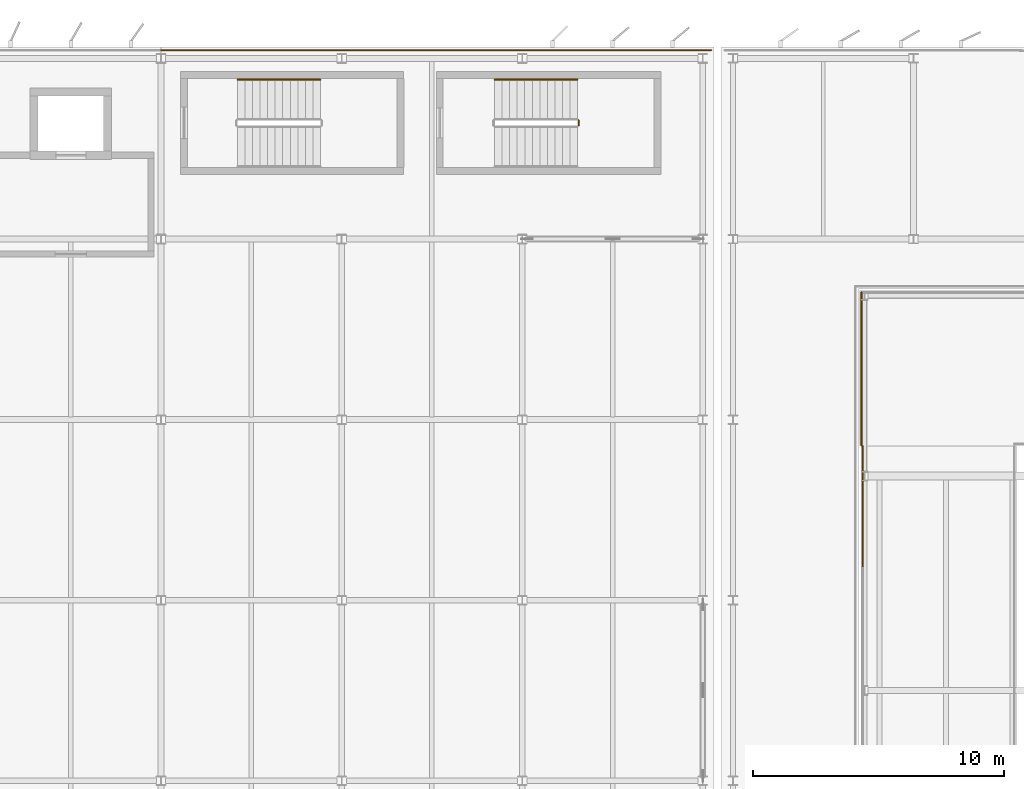
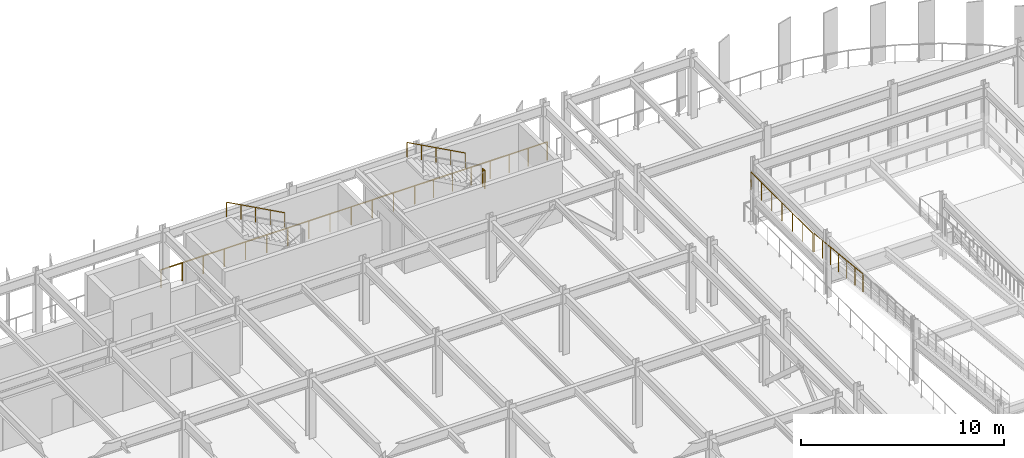
# One storey, part 48 of 52: 8 railings.
"""IFC4 building model written with IfcOpenShell, lengths in metres."""

from ifc_helpers import new_model, si_unit, direction, frame, origin, origin_2d, place, context, subcontext, project, spatial, circle, extrude, material, layer, layer_set, type_object, element, save


model = new_model("IFC4")

# Units and contexts
model_context = context("Model", 3, precision=1e-05, world=origin(), true_north=direction((0.0, 1.0)))
body_context = subcontext(model_context, "Body", "Model", "MODEL_VIEW")
ifc_project = project(units=[si_unit("LENGTHUNIT", "METRE"), si_unit("AREAUNIT", "SQUARE_METRE"), si_unit("VOLUMEUNIT", "CUBIC_METRE"), si_unit("PLANEANGLEUNIT", "RADIAN"), si_unit("MASSUNIT", "GRAM", prefix="KILO")], contexts=[model_context])

# Site, building, storey
site_placement = place(None, origin())
site = spatial("IfcSite", under=ifc_project, at=site_placement, CompositionType="ELEMENT")
building_placement = place(site_placement, origin())
building = spatial("IfcBuilding", under=site, at=building_placement, Name="Vaelcorin Mobility Hub", CompositionType="ELEMENT")
storey_placement = place(building_placement, frame((0.0, 0.0, 13.199951171875)))
storey = spatial("IfcBuildingStorey", under=building, at=storey_placement, Name="L03", CompositionType="ELEMENT", Elevation=13.199951171875)

# Railings
ifc_material_1 = material(Name="Galvanised structural steel ASTM A36", Category="steel")
ifc_layer_1 = layer(ifc_material_1, 0.070068359375)
ifc_layer_set_1 = layer_set([ifc_layer_1], Name="Galvanised structural steel ASTM A36")
railing_type_1 = type_object("IfcRailingType", Name="RL-GUARD-1100", PredefinedType="BALUSTRADE", material=ifc_layer_set_1)
for number, where, name in (
    (1, (100.800048828125, 120.330078125, 0.0), "L03 Perimeter Guard GR-V4-L03-N-10-01"),
    (2, (108.0, 120.330078125, 0.0), "L03 Perimeter Guard GR-V4-L03-N-11-01"),
):
    element("IfcRailing", number, at=place(storey_placement, frame(where)), inside=storey, type_object=railing_type_1, Name=name, PredefinedType="BALUSTRADE", context=body_context, shape_type="SweptSolid", body=[
        extrude(circle(Radius=0.02392578125, at=origin_2d()), frame((0.0, 0.0, 1.076171875), z_axis=(1.0, 0.0, 0.0), x_axis=(0.0, 1.0, 0.0)), (0.0, 0.0, 1.0), 7.199951171875),
        extrude(circle(Radius=0.02099609375, at=origin_2d()), origin(), (0.0, 0.0, 1.0), 1.052001953125),
        extrude(circle(Radius=0.02099609375, at=origin_2d()), frame((1.199951171875, 0.0, 0.0)), (0.0, 0.0, 1.0), 1.052001953125),
        extrude(circle(Radius=0.02099609375, at=origin_2d()), frame((2.39990234375, 0.0, 0.0)), (0.0, 0.0, 1.0), 1.052001953125),
        extrude(circle(Radius=0.02099609375, at=origin_2d()), frame((3.60009765625, 0.0, 0.0)), (0.0, 0.0, 1.0), 1.052001953125),
        extrude(circle(Radius=0.02099609375, at=origin_2d()), frame((4.800048828125, 0.0, 0.0)), (0.0, 0.0, 1.0), 1.052001953125),
        extrude(circle(Radius=0.02099609375, at=origin_2d()), frame((6.0, 0.0, 0.0)), (0.0, 0.0, 1.0), 1.052001953125),
        extrude(circle(Radius=0.02099609375, at=origin_2d()), frame((7.199951171875, 0.0, 0.0)), (0.0, 0.0, 1.0), 1.052001953125),
    ])
railing_1_placement = place(storey_placement, frame((115.199951171875, 120.330078125, 0.0)))
element("IfcRailing", 3, at=railing_1_placement, inside=storey, type_object=railing_type_1, Name="L03 Perimeter Guard GR-V4-L03-N-12-01", PredefinedType="BALUSTRADE", context=body_context, shape_type="SweptSolid", body=[
    extrude(circle(Radius=0.02392578125, at=origin_2d()), frame((0.0, 0.0, 1.076171875), z_axis=(1.0, 0.0, 0.0), x_axis=(0.0, 1.0, 0.0)), (0.0, 0.0, 1.0), 7.530029296875),
    extrude(circle(Radius=0.02099609375, at=origin_2d()), origin(), (0.0, 0.0, 1.0), 1.052001953125),
    extrude(circle(Radius=0.02099609375, at=origin_2d()), frame((1.07568359375, 0.0, 0.0)), (0.0, 0.0, 1.0), 1.052001953125),
    extrude(circle(Radius=0.02099609375, at=origin_2d()), frame((2.1513671875, 0.0, 0.0)), (0.0, 0.0, 1.0), 1.052001953125),
    extrude(circle(Radius=0.02099609375, at=origin_2d()), frame((3.22705078125, 0.0, 0.0)), (0.0, 0.0, 1.0), 1.052001953125),
    extrude(circle(Radius=0.02099609375, at=origin_2d()), frame((4.302978515625, 0.0, 0.0)), (0.0, 0.0, 1.0), 1.052001953125),
    extrude(circle(Radius=0.02099609375, at=origin_2d()), frame((5.378662109375, 0.0, 0.0)), (0.0, 0.0, 1.0), 1.052001953125),
    extrude(circle(Radius=0.02099609375, at=origin_2d()), frame((6.454345703125, 0.0, 0.0)), (0.0, 0.0, 1.0), 1.052001953125),
    extrude(circle(Radius=0.02099609375, at=origin_2d()), frame((7.530029296875, 0.0, 0.0)), (0.0, 0.0, 1.0), 1.052001953125),
])
railing_2_placement = place(storey_placement, frame((128.780029296875, 104.5400390625, 1.949951171875)))
element("IfcRailing", 4, at=railing_2_placement, inside=storey, type_object=railing_type_1, Name="L03 Ramp Guard GR-V2E-L03-FL2-W-01", PredefinedType="BALUSTRADE", context=body_context, shape_type="SweptSolid", body=[
    extrude(circle(Radius=0.02392578125, at=origin_2d()), frame((0.0, 0.0, 1.076171875), z_axis=(0.0, -0.994860105467, 0.10125892825), x_axis=(1.0, 0.0, 0.0)), (0.0, 0.0, 1.0), 4.819580078125),
    extrude(circle(Radius=0.02099609375, at=origin_2d()), origin(), (0.0, 0.0, 1.0), 1.052001953125),
    extrude(circle(Radius=0.02099609375, at=origin_2d()), frame((0.0, -0.799072265625, 0.081298828125)), (0.0, 0.0, 1.0), 1.052001953125),
    extrude(circle(Radius=0.02099609375, at=origin_2d()), frame((0.0, -1.598388671875, 0.16259765625)), (0.0, 0.0, 1.0), 1.052001953125),
    extrude(circle(Radius=0.02099609375, at=origin_2d()), frame((0.0, -2.3974609375, 0.244140625)), (0.0, 0.0, 1.0), 1.052001953125),
    extrude(circle(Radius=0.02099609375, at=origin_2d()), frame((0.0, -3.196533203125, 0.325439453125)), (0.0, 0.0, 1.0), 1.052001953125),
    extrude(circle(Radius=0.02099609375, at=origin_2d()), frame((0.0, -3.995849609375, 0.40673828125)), (0.0, 0.0, 1.0), 1.052001953125),
    extrude(circle(Radius=0.02099609375, at=origin_2d()), frame((0.0, -4.794921875, 0.488037109375)), (0.0, 0.0, 1.0), 1.052001953125),
])
railing_3_placement = place(storey_placement, frame((128.72998046875, 104.56005859375, 1.949951171875)))
element("IfcRailing", 5, at=railing_3_placement, inside=storey, type_object=railing_type_1, Name="L03 Perimeter Guard GR-V2E-L03-LND-01", PredefinedType="BALUSTRADE", context=body_context, shape_type="SweptSolid", body=[
    extrude(circle(Radius=0.02392578125, at=origin_2d()), frame((0.0, 0.0, 1.076171875), z_axis=(0.0, 1.0, 0.0), x_axis=(-1.0, 0.0, 0.0)), (0.0, 0.0, 1.0), 6.10986328125),
    extrude(circle(Radius=0.02099609375, at=origin_2d()), origin(), (0.0, 0.0, 1.0), 1.052001953125),
    extrude(circle(Radius=0.02099609375, at=origin_2d()), frame((0.0, 1.018310546875, 0.0)), (0.0, 0.0, 1.0), 1.052001953125),
    extrude(circle(Radius=0.02099609375, at=origin_2d()), frame((0.0, 2.03662109375, 0.0)), (0.0, 0.0, 1.0), 1.052001953125),
    extrude(circle(Radius=0.02099609375, at=origin_2d()), frame((0.0, 3.054931640625, 0.0)), (0.0, 0.0, 1.0), 1.052001953125),
    extrude(circle(Radius=0.02099609375, at=origin_2d()), frame((0.0, 4.0732421875, 0.0)), (0.0, 0.0, 1.0), 1.052001953125),
    extrude(circle(Radius=0.02099609375, at=origin_2d()), frame((0.0, 5.091552734375, 0.0)), (0.0, 0.0, 1.0), 1.052001953125),
    extrude(circle(Radius=0.02099609375, at=origin_2d()), frame((0.0, 6.10986328125, 0.0)), (0.0, 0.0, 1.0), 1.052001953125),
])
ifc_material_2 = material(Name="Brushed stainless steel 316L", Category="steel")
ifc_layer_2 = layer(ifc_material_2, 0.048095703125)
ifc_layer_set_2 = layer_set([ifc_layer_2], Name="Brushed stainless steel 316L")
railing_type_2 = type_object("IfcRailingType", Name="RL-STAIR-GRD", PredefinedType="GUARDRAIL", material=ifc_layer_set_2)
railing_4_placement = place(storey_placement, frame((117.449951171875, 117.330078125, 1.949951171875)))
element("IfcRailing", 6, at=railing_4_placement, inside=storey, type_object=railing_type_2, Name="L03 ST9 stair guard 2", PredefinedType="GUARDRAIL", context=body_context, shape_type="SweptSolid", body=[
    extrude(circle(Radius=0.02392578125, at=origin_2d()), frame((0.0, 0.0, 1.076171875), z_axis=(0.0, 1.0, 0.0), x_axis=(-1.0, 0.0, 0.0)), (0.0, 0.0, 1.0), 0.199951171875),
    extrude(circle(Radius=0.02099609375, at=origin_2d()), origin(), (0.0, 0.0, 1.0), 1.052001953125),
    extrude(circle(Radius=0.02099609375, at=origin_2d()), frame((0.0, 0.199951171875, 0.0)), (0.0, 0.0, 1.0), 1.052001953125),
])
ifc_layer_3 = layer(ifc_material_2, 0.048095703125)
ifc_layer_set_3 = layer_set([ifc_layer_3], Name="Brushed stainless steel 316L")
railing_type_3 = type_object("IfcRailingType", Name="RL-STAIR-HR", PredefinedType="HANDRAIL", material=ifc_layer_set_3)
for number, where, name in (
    (7, (107.14990234375, 119.159912109375, 2.112548828125), "L03 ST4 stair handrail 2"),
    (8, (117.39990234375, 119.159912109375, 2.112548828125), "L03 ST9 stair handrail 2"),
):
    element("IfcRailing", number, at=place(storey_placement, frame(where)), inside=storey, type_object=railing_type_3, Name=name, PredefinedType="HANDRAIL", context=body_context, shape_type="SweptSolid", body=[
        extrude(circle(Radius=0.02392578125, at=origin_2d()), frame((0.0, 0.0, 0.8759765625), z_axis=(-0.879269262144, 0.0, 0.476325061958), x_axis=(0.0, -1.0, 0.0)), (0.0, 0.0, 1.0), 3.7529296875),
        extrude(circle(Radius=0.02099609375, at=origin_2d()), origin(), (0.0, 0.0, 1.0), 0.851806640625),
        extrude(circle(Radius=0.02099609375, at=origin_2d()), frame((-0.824951171875, 0.0, 0.44677734375)), (0.0, 0.0, 1.0), 0.851806640625),
        extrude(circle(Radius=0.02099609375, at=origin_2d()), frame((-1.64990234375, 0.0, 0.893798828125)), (0.0, 0.0, 1.0), 0.851806640625),
        extrude(circle(Radius=0.02099609375, at=origin_2d()), frame((-2.474853515625, 0.0, 1.3408203125)), (0.0, 0.0, 1.0), 0.851806640625),
        extrude(circle(Radius=0.02099609375, at=origin_2d()), frame((-3.2998046875, 0.0, 1.78759765625)), (0.0, 0.0, 1.0), 0.851806640625),
    ])

save(model, "model.ifc")
